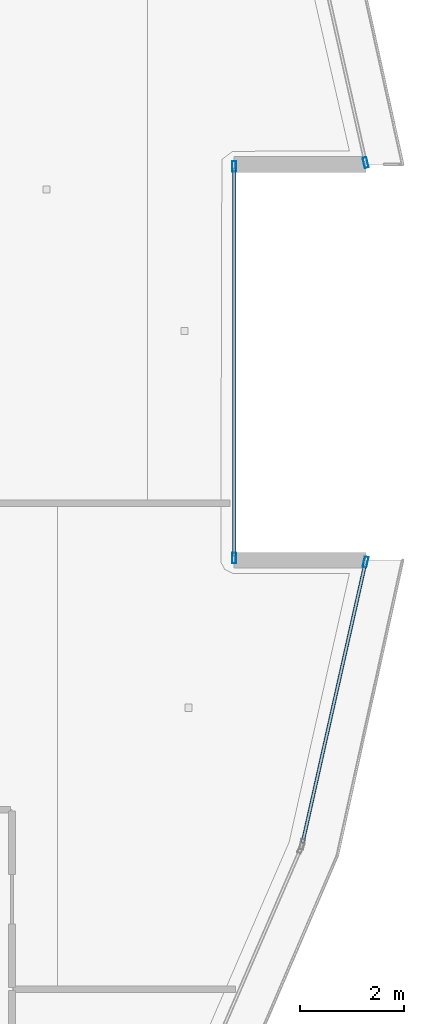
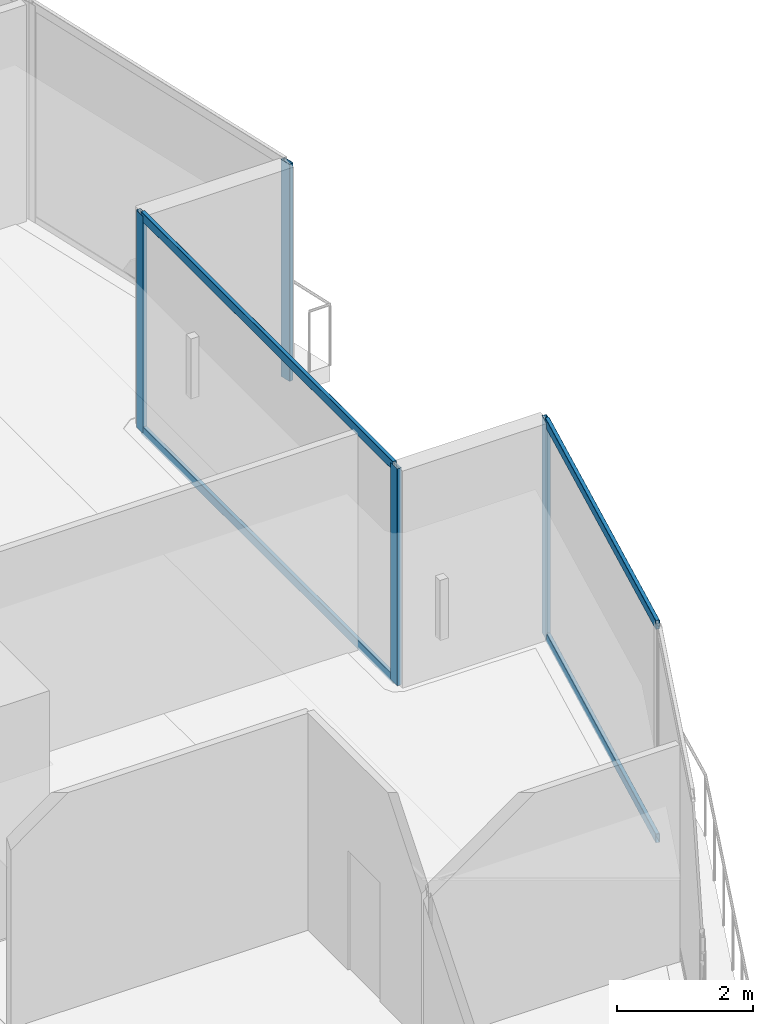
# One storey, part 13 of 33: 8 members, 3 elements without a shape of their own.
"""IFC4 building model written with IfcOpenShell, lengths in metres."""

from ifc_helpers import new_model, si_unit, direction, frame, origin, origin_2d, place, context, subcontext, project, spatial, hollow_rectangle, extrude, material, layer, layer_set, material_profile, profile_set, type_object, element, aggregate, save


model = new_model("IFC4")

# Units and contexts
model_context = context("Model", 3, precision=1e-05, world=origin(), true_north=direction((0.0, 1.0)))
body_context = subcontext(model_context, "Body", "Model", "MODEL_VIEW")
ifc_project = project(units=[si_unit("LENGTHUNIT", "METRE"), si_unit("AREAUNIT", "SQUARE_METRE"), si_unit("VOLUMEUNIT", "CUBIC_METRE"), si_unit("PLANEANGLEUNIT", "RADIAN"), si_unit("MASSUNIT", "GRAM", prefix="KILO")], contexts=[model_context])

# Site, building, storey
site_placement = place(None, origin())
site = spatial("IfcSite", under=ifc_project, at=site_placement, CompositionType="ELEMENT")
building_placement = place(site_placement, origin())
building = spatial("IfcBuilding", under=site, at=building_placement, Name="Qorvath Tower", CompositionType="ELEMENT")
storey_placement = place(building_placement, frame((0.0, 0.0, 280.800048828125)))
storey = spatial("IfcBuildingStorey", under=building, at=storey_placement, Name="L65", CompositionType="ELEMENT", Elevation=280.800048828125)

# Curtain wall, member
ifc_material_1 = material(Name="Anodised aluminium and triple low-E glass", Category="aluminium")
ifc_layer = layer(ifc_material_1, 0.179931640625)
ifc_layer_set = layer_set([ifc_layer], Name="CW-SYS-4")
curtain_wall_type = type_object("IfcCurtainWallType", Name="CW-SYS-4", PredefinedType="NOTDEFINED", material=ifc_layer_set)
curtain_wall_1_placement = place(storey_placement, origin())
curtain_wall_1 = element("IfcCurtainWall", 1, at=curtain_wall_1_placement, inside=storey, type_object=curtain_wall_type, Name="Curtain Wall CW-4 CW-T-L65-7.1", PredefinedType="NOTDEFINED")
ifc_material_2 = material(Name="Anodised aluminium 6063-T6", Category="aluminium")
ifc_material_profile_1 = material_profile(ifc_material_2, hollow_rectangle(XDim=0.074951171875, YDim=0.199951171875, WallThickness=0.00390625, InnerFilletRadius=0.00390625, OuterFilletRadius=0.008056640625, at=origin_2d()), Name="CWM 200x75")
ifc_profile_set_1 = profile_set([ifc_material_profile_1], Name="Anodised aluminium 6063-T6")
member_type_1 = type_object("IfcMemberType", Name="CWM-200", PredefinedType="MULLION", material=ifc_profile_set_1)
member_1_placement = place(storey_placement, frame((-1.215087890625, -3.827392578125, 0.0), z_axis=(0.0, 0.0, 1.0), x_axis=(-0.975723622054, 0.2190055099, 0.0)))
member_1 = element("IfcMember", 2, at=member_1_placement, type_object=member_type_1, Name="CW-4 mullion 2", PredefinedType="MULLION", context=body_context, shape_type="SweptSolid", body=[
    extrude(hollow_rectangle(XDim=0.074951171875, YDim=0.199951171875, WallThickness=0.00390625, InnerFilletRadius=0.00390625, OuterFilletRadius=0.008056640625, at=origin_2d()), origin(), (0.0, 0.0, 1.0), 3.909912109375),
])

# Curtain wall, members
curtain_wall_2_placement = place(storey_placement, origin())
curtain_wall_2 = element("IfcCurtainWall", 3, at=curtain_wall_2_placement, inside=storey, type_object=curtain_wall_type, Name="Curtain Wall CW-4 CW-T-L65-9.1", PredefinedType="NOTDEFINED")
member_2_placement = place(storey_placement, frame((-3.73388671875, -3.75341796875, 0.0), z_axis=(0.0, 0.0, 1.0), x_axis=(-1.0, 0.0, 0.0)))
member_2 = element("IfcMember", 4, at=member_2_placement, type_object=member_type_1, Name="CW-4 mullion 1", PredefinedType="MULLION", context=body_context, shape_type="SweptSolid", body=[
    extrude(hollow_rectangle(XDim=0.074951171875, YDim=0.199951171875, WallThickness=0.00390625, InnerFilletRadius=0.00390625, OuterFilletRadius=0.008056640625, at=origin_2d()), origin(), (0.0, 0.0, 1.0), 3.909912109375),
])
member_3_placement = place(storey_placement, frame((-3.73388671875, 3.75341796875, 0.0), z_axis=(0.0, 0.0, 1.0), x_axis=(-1.0, 0.0, 0.0)))
member_3 = element("IfcMember", 5, at=member_3_placement, type_object=member_type_1, Name="CW-4 mullion 2", PredefinedType="MULLION", context=body_context, shape_type="SweptSolid", body=[
    extrude(hollow_rectangle(XDim=0.074951171875, YDim=0.199951171875, WallThickness=0.00390625, InnerFilletRadius=0.00390625, OuterFilletRadius=0.008056640625, at=origin_2d()), origin(), (0.0, 0.0, 1.0), 3.909912109375),
])

# Curtain wall, member
curtain_wall_3_placement = place(storey_placement, origin())
curtain_wall_3 = element("IfcCurtainWall", 6, at=curtain_wall_3_placement, inside=storey, type_object=curtain_wall_type, Name="Curtain Wall CW-4 CW-T-L65-11.1", PredefinedType="NOTDEFINED")
member_4_placement = place(storey_placement, frame((-1.215087890625, 3.827392578125, 0.0), z_axis=(0.0, 0.0, 1.0), x_axis=(-0.975723622054, -0.2190055099, 0.0)))
member_4 = element("IfcMember", 7, at=member_4_placement, type_object=member_type_1, Name="CW-4 mullion 1", PredefinedType="MULLION", context=body_context, shape_type="SweptSolid", body=[
    extrude(hollow_rectangle(XDim=0.074951171875, YDim=0.199951171875, WallThickness=0.00390625, InnerFilletRadius=0.00390625, OuterFilletRadius=0.008056640625, at=origin_2d()), origin(), (0.0, 0.0, 1.0), 3.909912109375),
])
aggregate(curtain_wall_3, [member_4])

# Member
ifc_material_3 = material(Name="Anodised aluminium 6063-T6", Category="aluminium")
ifc_material_profile_2 = material_profile(ifc_material_3, hollow_rectangle(XDim=0.06494140625, YDim=0.159912109375, WallThickness=0.00341796875, InnerFilletRadius=0.00341796875, OuterFilletRadius=0.007080078125, at=origin_2d()), Name="CWT 160x65")
ifc_profile_set_2 = profile_set([ifc_material_profile_2], Name="Anodised aluminium 6063-T6")
member_type_2 = type_object("IfcMemberType", Name="CWT-160", PredefinedType="USERDEFINED", material=ifc_profile_set_2)
member_5_placement = place(storey_placement, frame((-2.421630859375, -9.202880859375, 0.032470703125), z_axis=(0.219032274043, 0.975717614337, 0.0), x_axis=(-0.975717614337, 0.219032274043, 0.0)))
member_5 = element("IfcMember", 8, at=member_5_placement, type_object=member_type_2, Name="CW-4 transom 1.1", ObjectType="TRANSOM", PredefinedType="USERDEFINED", context=body_context, shape_type="SweptSolid", body=[
    extrude(hollow_rectangle(XDim=0.06494140625, YDim=0.159912109375, WallThickness=0.00341796875, InnerFilletRadius=0.00341796875, OuterFilletRadius=0.007080078125, at=origin_2d()), origin(), (0.0, 0.0, 1.0), 5.4716796875),
])

member_6_placement = place(storey_placement, frame((-2.421630859375, -9.202880859375, 3.87744140625), z_axis=(0.219032274043, 0.975717614337, 0.0), x_axis=(-0.975717614337, 0.219032274043, 0.0)))
member_6 = element("IfcMember", 9, at=member_6_placement, type_object=member_type_2, Name="CW-4 transom 1.2", ObjectType="TRANSOM", PredefinedType="USERDEFINED", context=body_context, shape_type="SweptSolid", body=[
    extrude(hollow_rectangle(XDim=0.06494140625, YDim=0.159912109375, WallThickness=0.00341796875, InnerFilletRadius=0.00341796875, OuterFilletRadius=0.007080078125, at=origin_2d()), origin(), (0.0, 0.0, 1.0), 5.4716796875),
])

aggregate(curtain_wall_1, [member_1, member_5, member_6])

member_7_placement = place(storey_placement, frame((-3.73388671875, -3.7158203125, 0.032470703125), z_axis=(0.0, 1.0, 0.0), x_axis=(-1.0, 0.0, 0.0)))
member_7 = element("IfcMember", 10, at=member_7_placement, type_object=member_type_2, Name="CW-4 transom 1.1", ObjectType="TRANSOM", PredefinedType="USERDEFINED", context=body_context, shape_type="SweptSolid", body=[
    extrude(hollow_rectangle(XDim=0.06494140625, YDim=0.159912109375, WallThickness=0.00341796875, InnerFilletRadius=0.00341796875, OuterFilletRadius=0.007080078125, at=origin_2d()), origin(), (0.0, 0.0, 1.0), 7.431640625),
])

member_8_placement = place(storey_placement, frame((-3.73388671875, -3.7158203125, 3.87744140625), z_axis=(0.0, 1.0, 0.0), x_axis=(-1.0, 0.0, 0.0)))
member_8 = element("IfcMember", 11, at=member_8_placement, type_object=member_type_2, Name="CW-4 transom 1.2", ObjectType="TRANSOM", PredefinedType="USERDEFINED", context=body_context, shape_type="SweptSolid", body=[
    extrude(hollow_rectangle(XDim=0.06494140625, YDim=0.159912109375, WallThickness=0.00341796875, InnerFilletRadius=0.00341796875, OuterFilletRadius=0.007080078125, at=origin_2d()), origin(), (0.0, 0.0, 1.0), 7.431640625),
])

aggregate(curtain_wall_2, [member_2, member_3, member_7, member_8])

save(model, "model.ifc")
